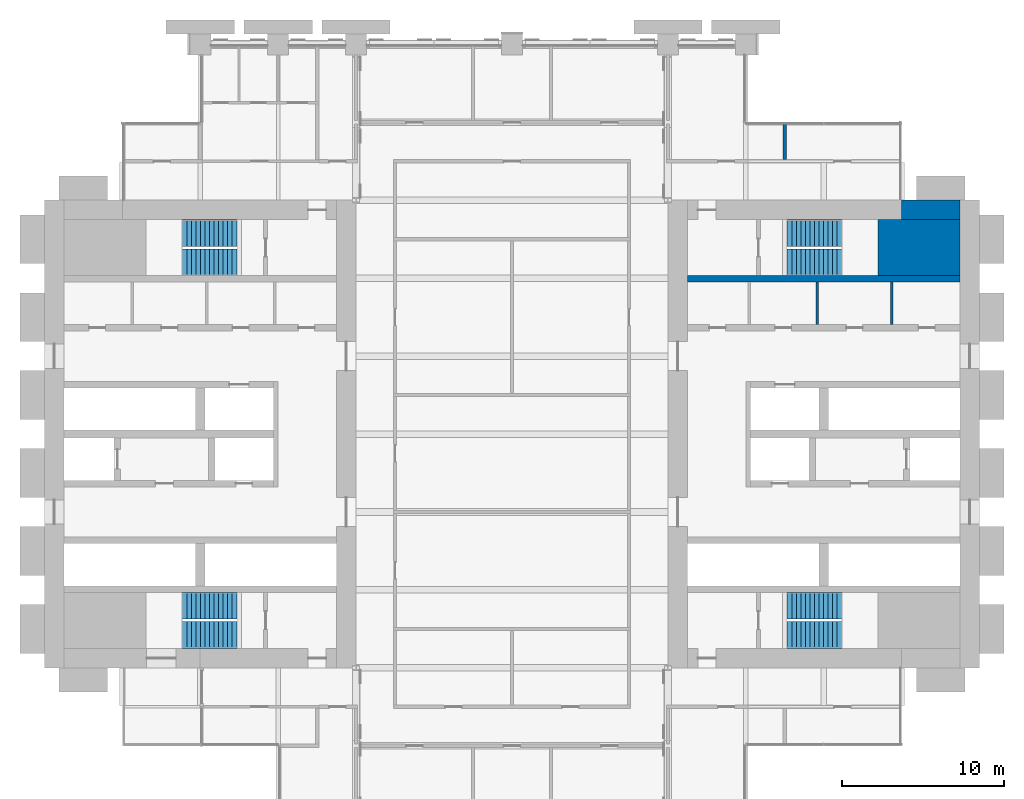
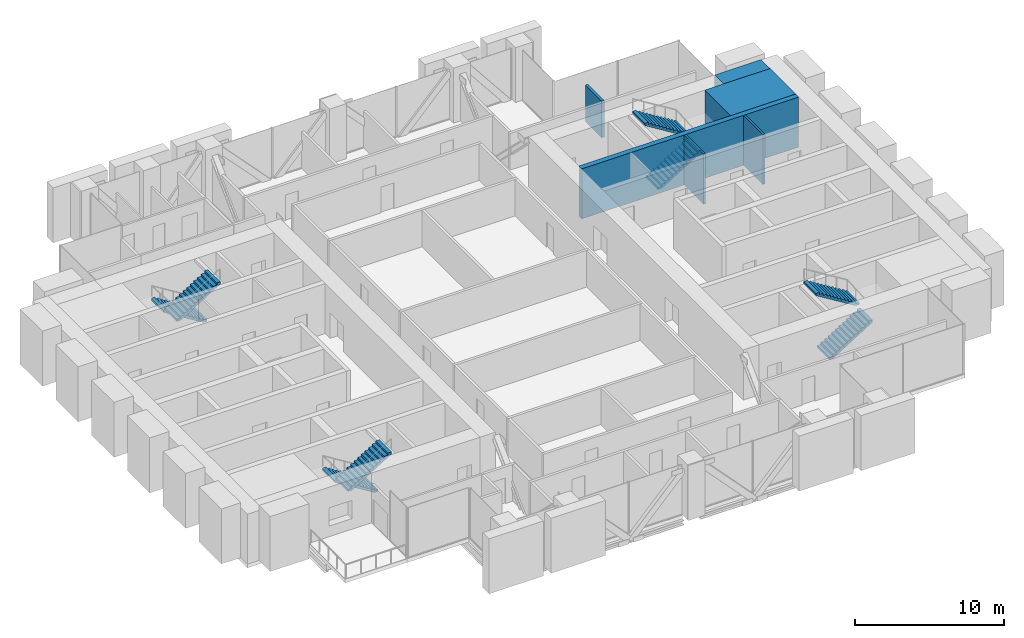
# One storey, part 14 of 15: 8 stair flights, 6 walls, 4 elements without a shape of their own.
"""IFC4 building model written with IfcOpenShell, lengths in metres."""

import ifcopenshell
import ifcopenshell.guid

model = None  # the IFC model being written
_history = None  # IfcOwnerHistory: only IFC2X3 demands one
_inside = {}  # id of a spatial element -> (the spatial element, [elements in it])
_under = {}  # id of a project, library or spatial element -> (it, [spatial elements below it])
_declared = {}  # id of a project -> (the project, [libraries it declares])
_typed = {}  # id of a type object -> (the type object, [elements of that type])
_made_of = {}  # id of a material, layer set ... -> (it, [elements and type objects made of it])


def new_model(schema):
    """Start an empty IFC model of exactly this schema.

    Asked for "IFC4X3", IfcOpenShell would pick the latest addendum, in which some entities
    have other attributes; the version numbers below select the first issue.
    IFC2X3 requires an IfcOwnerHistory on every rooted entity: one is made here for all.
    """
    global model, _history
    if schema == "IFC4X3":
        model = ifcopenshell.file(schema_version=(4, 3, 0, 0))
    else:
        model = ifcopenshell.file(schema=schema)
    _inside.clear()
    _under.clear()
    _declared.clear()
    _typed.clear()
    _made_of.clear()
    _history = None
    if model.schema == "IFC2X3":
        org = make("IfcOrganization", Name="unknown")
        user = make(
            "IfcPersonAndOrganization",
            ThePerson=make("IfcPerson", FamilyName="unknown"),
            TheOrganization=org,
        )
        app = make(
            "IfcApplication",
            ApplicationDeveloper=org,
            Version="unknown",
            ApplicationFullName="unknown",
            ApplicationIdentifier="unknown",
        )
        _history = make(
            "IfcOwnerHistory",
            OwningUser=user,
            OwningApplication=app,
            ChangeAction="ADDED",
            CreationDate=0,
        )
    return model


def make(cls, **values):
    """One entity of the class cls with the attributes given. An attribute that is None is left unset."""
    return model.create_entity(
        cls, **{name: value for name, value in values.items() if value is not None}
    )


def rooted(cls, **values):
    """An entity with a GlobalId (a new one), such as an element, a storey or a relation."""
    return make(cls, GlobalId=ifcopenshell.guid.new(), OwnerHistory=_history, **values)


def si_unit(unit_type, name, prefix=None):
    """IfcSIUnit, for example si_unit("LENGTHUNIT", "METRE", prefix="MILLI")."""
    return make("IfcSIUnit", UnitType=unit_type, Prefix=prefix, Name=name)


def assignment(units):
    """IfcUnitAssignment: the units of a project."""
    return None if units is None else make("IfcUnitAssignment", Units=units)


def point(xyz):
    """IfcCartesianPoint."""
    return None if xyz is None else make("IfcCartesianPoint", Coordinates=xyz)


def direction(xyz):
    """IfcDirection."""
    return None if xyz is None else make("IfcDirection", DirectionRatios=xyz)


def frame(location, z_axis=None, x_axis=None):
    """IfcAxis2Placement3D, a coordinate frame: its origin and axes. An axis left out is left unset."""
    return make(
        "IfcAxis2Placement3D",
        Location=point(location),
        Axis=direction(z_axis),
        RefDirection=direction(x_axis),
    )


def frame_2d(location, x_axis=None):
    """IfcAxis2Placement2D, a coordinate frame in the plane: its origin and x axis."""
    return make(
        "IfcAxis2Placement2D", Location=point(location), RefDirection=direction(x_axis)
    )


def origin():
    """The frame at (0, 0, 0) with its axes left unset."""
    return frame((0.0, 0.0, 0.0))


def place(relative_to, where):
    """IfcLocalPlacement: puts the frame where relative to a parent placement (None: the world)."""
    return make(
        "IfcLocalPlacement", PlacementRelTo=relative_to, RelativePlacement=where
    )


def context(
    kind, dimensions, precision=None, world=None, true_north=None, identifier=None
):
    """IfcGeometricRepresentationContext, for example the 3D "Model" context."""
    return make(
        "IfcGeometricRepresentationContext",
        ContextIdentifier=identifier,
        ContextType=kind,
        CoordinateSpaceDimension=dimensions,
        Precision=precision,
        WorldCoordinateSystem=world,
        TrueNorth=true_north,
    )


def subcontext(parent, identifier, kind, view, scale=None):
    """IfcGeometricRepresentationSubContext, for example "Body" below "Model"."""
    return make(
        "IfcGeometricRepresentationSubContext",
        ContextIdentifier=identifier,
        ContextType=kind,
        ParentContext=parent,
        TargetScale=scale,
        TargetView=view,
    )


def project(units=None, contexts=None):
    """IfcProject with its units and contexts."""
    return rooted(
        "IfcProject",
        Name="project",
        RepresentationContexts=contexts,
        UnitsInContext=assignment(units),
    )


def spatial(cls, under=None, at=None, **own):
    """A site, building, storey or space (cls), placed at a placement, below another one or the project."""
    s = rooted(cls, ObjectPlacement=at, **own)
    if under is not None:
        _under.setdefault(under.id(), (under, []))[1].append(s)
    return s


def polyline(points):
    """IfcPolyline through the points."""
    return make("IfcPolyline", Points=[point(p) for p in points])


def profile(cls, at=None, kind="AREA", **sizes):
    """A parametric profile (cls). Its sizes go by their IFC names, for example OverallWidth=200.0."""
    return make(cls, ProfileType=kind, Position=at, **sizes)


def rectangle(**sizes):
    """IfcRectangleProfileDef."""
    return profile("IfcRectangleProfileDef", **sizes)


def outline(outer, holes=None, kind="AREA"):
    """IfcArbitraryClosedProfileDef: a profile drawn as a closed curve; with holes, ...WithVoids."""
    if holes is None:
        return make("IfcArbitraryClosedProfileDef", ProfileType=kind, OuterCurve=outer)
    return make(
        "IfcArbitraryProfileDefWithVoids",
        ProfileType=kind,
        OuterCurve=outer,
        InnerCurves=holes,
    )


def extrude(swept, where, along, depth):
    """IfcExtrudedAreaSolid: the profile swept, set in the frame where, extruded along a direction by depth."""
    return make(
        "IfcExtrudedAreaSolid",
        SweptArea=swept,
        Position=where,
        ExtrudedDirection=direction(along),
        Depth=depth,
    )


def shape(context_of_items, identifier, shape_type, items):
    """IfcShapeRepresentation: the items that make up one representation, for example the "Body"."""
    return make(
        "IfcShapeRepresentation",
        ContextOfItems=context_of_items,
        RepresentationIdentifier=identifier,
        RepresentationType=shape_type,
        Items=items,
    )


def material(Name=None, Category=None):
    """IfcMaterial."""
    return make("IfcMaterial", Name=Name, Category=Category)


def layer(
    of_material, thickness, ventilated=None, Name=None, Category=None, Priority=None
):
    """IfcMaterialLayer: one layer of a wall or slab, of a material (None: an air gap)."""
    return make(
        "IfcMaterialLayer",
        Material=of_material,
        LayerThickness=thickness,
        IsVentilated=ventilated,
        Name=Name,
        Category=Category,
        Priority=Priority,
    )


def layer_set(layers, Name=None):
    """IfcMaterialLayerSet."""
    return make("IfcMaterialLayerSet", MaterialLayers=layers, LayerSetName=Name)


def made_of(thing, what):
    """Note that an element or type object is made of a material, layer set ...; save() writes the relation."""
    if what is not None:
        _made_of.setdefault(what.id(), (what, []))[1].append(thing)
    return thing


def type_object(cls, material=None, **own):
    """A type object (cls), such as IfcWallType, which elements share."""
    return made_of(rooted(cls, **own), material)


def element(
    cls,
    number,
    at=None,
    inside=None,
    cuts=None,
    type_object=None,
    material=None,
    context=None,
    identifier="Body",
    shape_type=None,
    held_by="IfcProductDefinitionShape",
    body=None,
    shapes=None,
    **own,
):
    """One element of the class cls, such as IfcWall. Its Tag is "e" and its number.

    at: its placement. inside: the storey or other place that contains it. cuts: it is an
    opening in that element (IfcRelVoidsElement). A single representation is given by context,
    identifier, shape_type and body (its items); several are given by shapes. held_by: the class
    of the entity that holds the representations. save() writes the other relations.
    """
    e = rooted(cls, Tag="e%d" % number, ObjectPlacement=at, **own)
    if body is not None:
        shapes = [shape(context, identifier, shape_type, body)]
    if shapes is not None:
        e.Representation = make(held_by, Representations=shapes)
    if inside is not None:
        _inside.setdefault(inside.id(), (inside, []))[1].append(e)
    if cuts is not None:
        rooted(
            "IfcRelVoidsElement", RelatingBuildingElement=cuts, RelatedOpeningElement=e
        )
    if type_object is not None:
        _typed.setdefault(type_object.id(), (type_object, []))[1].append(e)
    return made_of(e, material)


def aggregate(whole, parts):
    """IfcRelAggregates: a whole, such as a stair, and the parts it consists of."""
    return rooted("IfcRelAggregates", RelatingObject=whole, RelatedObjects=parts)


def save(model, path):
    """Write the relations noted so far, then the file.

    IfcRelAggregates (storeys below a building ...), IfcRelContainedInSpatialStructure (elements
    in a storey), IfcRelDefinesByType, IfcRelAssociatesMaterial and IfcRelDeclares: one each for
    every whole, place, type object, material and project.
    """
    for whole, parts in _under.values():
        aggregate(whole, parts)
    for where, things in _inside.values():
        rooted(
            "IfcRelContainedInSpatialStructure",
            RelatedElements=things,
            RelatingStructure=where,
        )
    for kind, things in _typed.values():
        rooted("IfcRelDefinesByType", RelatedObjects=things, RelatingType=kind)
    for what, things in _made_of.values():
        rooted("IfcRelAssociatesMaterial", RelatedObjects=things, RelatingMaterial=what)
    for by, libraries in _declared.values():
        rooted("IfcRelDeclares", RelatingContext=by, RelatedDefinitions=libraries)
    model.write(path)


model = new_model("IFC4")

# Units and contexts
model_context = context("Model", 3, precision=1e-05, world=origin(), true_north=direction((0.0, 1.0)))
body_context = subcontext(model_context, "Body", "Model", "MODEL_VIEW")
ifc_project = project(units=[si_unit("LENGTHUNIT", "METRE"), si_unit("AREAUNIT", "SQUARE_METRE"), si_unit("VOLUMEUNIT", "CUBIC_METRE"), si_unit("PLANEANGLEUNIT", "RADIAN"), si_unit("MASSUNIT", "GRAM", prefix="KILO")], contexts=[model_context])

# Site, building, storey
site_placement = place(None, origin())
site = spatial("IfcSite", under=ifc_project, at=site_placement, CompositionType="ELEMENT")
building_placement = place(site_placement, origin())
building = spatial("IfcBuilding", under=site, at=building_placement, Name="Baori Bourse Tower", CompositionType="ELEMENT")
storey_placement = place(building_placement, frame((0.0, 0.0, 87.0)))
storey = spatial("IfcBuildingStorey", under=building, at=storey_placement, Name="L19", CompositionType="ELEMENT", Elevation=87.0)

# Walls
ifc_material_1 = material(Name="Concrete f'c 70 MPa", Category="concrete")
wall_type_1 = type_object("IfcWallType", Name="Core corner block f'c 70", PredefinedType="SHEAR", material=ifc_material_1)
wall_1_placement = place(storey_placement, frame((51.35009765625, 35.47509765625, 0.0), z_axis=(0.0, 0.0, 1.0), x_axis=(1.0, 0.0, 0.0)))
element("IfcWall", 1, at=wall_1_placement, inside=storey, type_object=wall_type_1, Name="Core wall E22", PredefinedType="SHEAR", context=body_context, shape_type="SweptSolid", body=[
    extrude(rectangle(XDim=5.0498046875, YDim=3.449951171875, at=frame_2d((2.52490234375, 0.0))), origin(), (0.0, 0.0, 1.0), 4.10009765625),
])
ifc_material_2 = material(Name="Blockwork partition", Category="masonry")
ifc_layer_1 = layer(ifc_material_2, 0.14990234375)
ifc_layer_set_1 = layer_set([ifc_layer_1], Name="Core partition 150")
wall_type_2 = type_object("IfcWallType", Name="Core partition 150", PredefinedType="PARTITIONING", material=ifc_layer_set_1)
for number, where, z_axis, x_axis, name in (
    (2, (52.199951171875, 30.75, 0.0), (0.0, 0.0, 1.0), (0.0, 1.0, 0.0), "Partition wall E18"),
    (3, (47.60009765625, 30.75, 0.0), (0.0, 0.0, 1.0), (0.0, 1.0, 0.0), "Partition wall E19"),
):
    element("IfcWall", number, at=place(storey_placement, frame(where, z_axis=z_axis, x_axis=x_axis)), inside=storey, type_object=wall_type_2, Name=name, PredefinedType="PARTITIONING", context=body_context, shape_type="SweptSolid", body=[
        extrude(rectangle(XDim=2.60009765625, YDim=0.14990234375, at=frame_2d((1.300048828125, 0.0))), origin(), (0.0, 0.0, 1.0), 4.10009765625),
    ])
ifc_material_3 = material(Name="Concrete f'c 70 MPa", Category="concrete")
ifc_layer_2 = layer(ifc_material_3, 1.199951171875)
ifc_layer_set_2 = layer_set([ifc_layer_2], Name="Core wall 1200 f'c 70")
wall_type_3 = type_object("IfcWallType", Name="Core wall 1200 f'c 70", PredefinedType="SHEAR", material=ifc_layer_set_2)
wall_2_placement = place(storey_placement, frame((52.800048828125, 37.800048828125, 0.0), z_axis=(0.0, 0.0, 1.0), x_axis=(1.0, 0.0, 0.0)))
element("IfcWall", 4, at=wall_2_placement, inside=storey, type_object=wall_type_3, Name="Core wall E24", PredefinedType="SHEAR", context=body_context, shape_type="SweptSolid", body=[
    extrude(rectangle(XDim=3.599853515625, YDim=1.199951171875, at=frame_2d((1.7998046875, 0.0))), origin(), (0.0, 0.0, 1.0), 4.10009765625),
])
ifc_material_4 = material(Name="Gypsum board partition")
ifc_layer_3 = layer(ifc_material_4, 0.199951171875)
ifc_layer_set_3 = layer_set([ifc_layer_3], Name="Plant room wall 200")
wall_type_4 = type_object("IfcWallType", Name="Plant room wall 200", PredefinedType="PARTITIONING", material=ifc_layer_set_3)
wall_3_placement = place(storey_placement, frame((45.60009765625, 40.89990234375, 0.0), z_axis=(0.0, 0.0, 1.0), x_axis=(0.0, 1.0, 0.0)))
element("IfcWall", 5, at=wall_3_placement, inside=storey, type_object=wall_type_4, Name="Partition", PredefinedType="PARTITIONING", context=body_context, shape_type="SweptSolid", body=[
    extrude(rectangle(XDim=2.2001953125, YDim=0.199951171875, at=frame_2d((1.10009765625, 0.0))), origin(), (0.0, 0.0, 1.0), 2.99267578125),
])
ifc_material_5 = material(Name="Concrete f'c 70 MPa", Category="concrete")
ifc_layer_4 = layer(ifc_material_5, 0.39990234375)
ifc_layer_set_4 = layer_set([ifc_layer_4], Name="Shaft wall 400 f'c 70")
wall_type_5 = type_object("IfcWallType", Name="Shaft wall 400 f'c 70", PredefinedType="SHEAR", material=ifc_layer_set_4)
wall_4_placement = place(storey_placement, frame((39.60009765625, 33.550048828125, 0.0), z_axis=(0.0, 0.0, 1.0), x_axis=(1.0, 0.0, 0.0)))
element("IfcWall", 6, at=wall_4_placement, inside=storey, type_object=wall_type_5, Name="Core wall E21", PredefinedType="SHEAR", context=body_context, shape_type="SweptSolid", body=[
    extrude(rectangle(XDim=16.7998046875, YDim=0.39990234375, at=frame_2d((8.39990234375, 0.0))), origin(), (0.0, 0.0, 1.0), 4.10009765625),
])

# Stair, stair flights
ifc_material_6 = material(Name="Concrete f'c 50 MPa", Category="concrete")
stair_type = type_object("IfcStairType", Name="Core stair", PredefinedType="HALF_TURN_STAIR", material=ifc_material_6)
stair_1_placement = place(storey_placement, origin())
stair_1 = element("IfcStair", 7, at=stair_1_placement, inside=storey, type_object=stair_type, Name="L19 Stair WA", PredefinedType="HALF_TURN_STAIR")
ifc_material_7 = material(Name="Concrete f'c 50 MPa", Category="concrete")
stair_flight_type = type_object("IfcStairFlightType", Name="Core stair flight", PredefinedType="STRAIGHT", material=ifc_material_7)
stair_flight_1_placement = place(storey_placement, frame((11.85009765625, 13.425048828125, 0.0), z_axis=(0.0, 0.0, 1.0), x_axis=(-1.0, 0.0, 0.0)))
stair_flight_1 = element("IfcStairFlight", 8, at=stair_flight_1_placement, type_object=stair_flight_type, Name="ST1 flight 1", NumberOfRisers=13, NumberOfTreads=12, PredefinedType="STRAIGHT", RiserHeight=0.173076923, TreadLength=0.28, context=body_context, shape_type="SweptSolid", body=[
    extrude(outline(polyline([(0.0, 0.0), (0.0, 0.173095703125), (0.280029296875, 0.173095703125), (0.280029296875, 0.34619140625), (0.56005859375, 0.34619140625), (0.56005859375, 0.519287109375), (0.840087890625, 0.519287109375), (0.840087890625, 0.6923828125), (1.1201171875, 0.6923828125), (1.1201171875, 0.865478515625), (1.39990234375, 0.865478515625), (1.39990234375, 1.03857421875), (1.679931640625, 1.03857421875), (1.679931640625, 1.21142578125), (1.9599609375, 1.21142578125), (1.9599609375, 1.384521484375), (2.239990234375, 1.384521484375), (2.239990234375, 1.5576171875), (2.52001953125, 1.5576171875), (2.52001953125, 1.730712890625), (2.800048828125, 1.730712890625), (2.800048828125, 1.90380859375), (3.080078125, 1.90380859375), (3.080078125, 2.076904296875), (3.360107421875, 2.076904296875), (3.360107421875, 2.25), (3.360107421875, 1.900634765625), (0.28515625, 0.0), (0.0, 0.0)])), frame((0.0, 0.824951171875, 0.0), z_axis=(0.0, -1.0, 0.0), x_axis=(1.0, 0.0, 0.0)), (0.0, 0.0, 1.0), 1.64990234375),
])
stair_flight_2_placement = place(storey_placement, frame((8.489990234375, 11.625, 2.25), z_axis=(0.0, 0.0, 1.0), x_axis=(1.0, 0.0, 0.0)))
stair_flight_2 = element("IfcStairFlight", 9, at=stair_flight_2_placement, type_object=stair_flight_type, Name="ST1 flight 2", NumberOfRisers=13, NumberOfTreads=12, PredefinedType="STRAIGHT", RiserHeight=0.173076923, TreadLength=0.28, context=body_context, shape_type="SweptSolid", body=[
    extrude(outline(polyline([(0.0, 0.0), (0.0, 0.173095703125), (0.280029296875, 0.173095703125), (0.280029296875, 0.34619140625), (0.56005859375, 0.34619140625), (0.56005859375, 0.519287109375), (0.840087890625, 0.519287109375), (0.840087890625, 0.6923828125), (1.1201171875, 0.6923828125), (1.1201171875, 0.865478515625), (1.39990234375, 0.865478515625), (1.39990234375, 1.03857421875), (1.679931640625, 1.03857421875), (1.679931640625, 1.21142578125), (1.9599609375, 1.21142578125), (1.9599609375, 1.384521484375), (2.239990234375, 1.384521484375), (2.239990234375, 1.5576171875), (2.52001953125, 1.5576171875), (2.52001953125, 1.730712890625), (2.800048828125, 1.730712890625), (2.800048828125, 1.90380859375), (3.080078125, 1.90380859375), (3.080078125, 2.076904296875), (3.360107421875, 2.076904296875), (3.360107421875, 2.25), (3.360107421875, 1.900634765625), (0.28515625, 0.0), (0.0, 0.0)])), frame((0.0, 0.824951171875, 0.0), z_axis=(0.0, -1.0, 0.0), x_axis=(1.0, 0.0, 0.0)), (0.0, 0.0, 1.0), 1.64990234375),
])
aggregate(stair_1, [stair_flight_1, stair_flight_2])

stair_2_placement = place(storey_placement, origin())
stair_2 = element("IfcStair", 10, at=stair_2_placement, inside=storey, type_object=stair_type, Name="L19 Stair WB", PredefinedType="HALF_TURN_STAIR")
stair_flight_3_placement = place(storey_placement, frame((11.85009765625, 36.375, 0.0), z_axis=(0.0, 0.0, 1.0), x_axis=(-1.0, 0.0, 0.0)))
stair_flight_3 = element("IfcStairFlight", 11, at=stair_flight_3_placement, type_object=stair_flight_type, Name="ST2 flight 1", NumberOfRisers=13, NumberOfTreads=12, PredefinedType="STRAIGHT", RiserHeight=0.173076923, TreadLength=0.28, context=body_context, shape_type="SweptSolid", body=[
    extrude(outline(polyline([(0.0, 0.0), (0.0, 0.173095703125), (0.280029296875, 0.173095703125), (0.280029296875, 0.34619140625), (0.56005859375, 0.34619140625), (0.56005859375, 0.519287109375), (0.840087890625, 0.519287109375), (0.840087890625, 0.6923828125), (1.1201171875, 0.6923828125), (1.1201171875, 0.865478515625), (1.39990234375, 0.865478515625), (1.39990234375, 1.03857421875), (1.679931640625, 1.03857421875), (1.679931640625, 1.21142578125), (1.9599609375, 1.21142578125), (1.9599609375, 1.384521484375), (2.239990234375, 1.384521484375), (2.239990234375, 1.5576171875), (2.52001953125, 1.5576171875), (2.52001953125, 1.730712890625), (2.800048828125, 1.730712890625), (2.800048828125, 1.90380859375), (3.080078125, 1.90380859375), (3.080078125, 2.076904296875), (3.360107421875, 2.076904296875), (3.360107421875, 2.25), (3.360107421875, 1.900634765625), (0.28515625, 0.0), (0.0, 0.0)])), frame((0.0, 0.824951171875, 0.0), z_axis=(0.0, -1.0, 0.0), x_axis=(1.0, 0.0, 0.0)), (0.0, 0.0, 1.0), 1.64990234375),
])
stair_flight_4_placement = place(storey_placement, frame((8.489990234375, 34.574951171875, 2.25), z_axis=(0.0, 0.0, 1.0), x_axis=(1.0, 0.0, 0.0)))
stair_flight_4 = element("IfcStairFlight", 12, at=stair_flight_4_placement, type_object=stair_flight_type, Name="ST2 flight 2", NumberOfRisers=13, NumberOfTreads=12, PredefinedType="STRAIGHT", RiserHeight=0.173076923, TreadLength=0.28, context=body_context, shape_type="SweptSolid", body=[
    extrude(outline(polyline([(0.0, 0.0), (0.0, 0.173095703125), (0.280029296875, 0.173095703125), (0.280029296875, 0.34619140625), (0.56005859375, 0.34619140625), (0.56005859375, 0.519287109375), (0.840087890625, 0.519287109375), (0.840087890625, 0.6923828125), (1.1201171875, 0.6923828125), (1.1201171875, 0.865478515625), (1.39990234375, 0.865478515625), (1.39990234375, 1.03857421875), (1.679931640625, 1.03857421875), (1.679931640625, 1.21142578125), (1.9599609375, 1.21142578125), (1.9599609375, 1.384521484375), (2.239990234375, 1.384521484375), (2.239990234375, 1.5576171875), (2.52001953125, 1.5576171875), (2.52001953125, 1.730712890625), (2.800048828125, 1.730712890625), (2.800048828125, 1.90380859375), (3.080078125, 1.90380859375), (3.080078125, 2.076904296875), (3.360107421875, 2.076904296875), (3.360107421875, 2.25), (3.360107421875, 1.900634765625), (0.28515625, 0.0), (0.0, 0.0)])), frame((0.0, 0.824951171875, 0.0), z_axis=(0.0, -1.0, 0.0), x_axis=(1.0, 0.0, 0.0)), (0.0, 0.0, 1.0), 1.64990234375),
])
aggregate(stair_2, [stair_flight_3, stair_flight_4])

stair_3_placement = place(storey_placement, origin())
stair_3 = element("IfcStair", 13, at=stair_3_placement, inside=storey, type_object=stair_type, Name="L19 Stair EA", PredefinedType="HALF_TURN_STAIR")
stair_flight_5_placement = place(storey_placement, frame((45.75, 11.625, 0.0), z_axis=(0.0, 0.0, 1.0), x_axis=(1.0, 0.0, 0.0)))
stair_flight_5 = element("IfcStairFlight", 14, at=stair_flight_5_placement, type_object=stair_flight_type, Name="ST3 flight 1", NumberOfRisers=13, NumberOfTreads=12, PredefinedType="STRAIGHT", RiserHeight=0.173076923, TreadLength=0.28, context=body_context, shape_type="SweptSolid", body=[
    extrude(outline(polyline([(0.0, 0.0), (0.0, 0.173095703125), (0.280029296875, 0.173095703125), (0.280029296875, 0.34619140625), (0.56005859375, 0.34619140625), (0.56005859375, 0.519287109375), (0.840087890625, 0.519287109375), (0.840087890625, 0.6923828125), (1.1201171875, 0.6923828125), (1.1201171875, 0.865478515625), (1.39990234375, 0.865478515625), (1.39990234375, 1.03857421875), (1.679931640625, 1.03857421875), (1.679931640625, 1.21142578125), (1.9599609375, 1.21142578125), (1.9599609375, 1.384521484375), (2.239990234375, 1.384521484375), (2.239990234375, 1.5576171875), (2.52001953125, 1.5576171875), (2.52001953125, 1.730712890625), (2.800048828125, 1.730712890625), (2.800048828125, 1.90380859375), (3.080078125, 1.90380859375), (3.080078125, 2.076904296875), (3.360107421875, 2.076904296875), (3.360107421875, 2.25), (3.360107421875, 1.900634765625), (0.28515625, 0.0), (0.0, 0.0)])), frame((0.0, 0.824951171875, 0.0), z_axis=(0.0, -1.0, 0.0), x_axis=(1.0, 0.0, 0.0)), (0.0, 0.0, 1.0), 1.64990234375),
])
stair_flight_6_placement = place(storey_placement, frame((49.110107421875, 13.425048828125, 2.25), z_axis=(0.0, 0.0, 1.0), x_axis=(-1.0, 0.0, 0.0)))
stair_flight_6 = element("IfcStairFlight", 15, at=stair_flight_6_placement, type_object=stair_flight_type, Name="ST3 flight 2", NumberOfRisers=13, NumberOfTreads=12, PredefinedType="STRAIGHT", RiserHeight=0.173076923, TreadLength=0.28, context=body_context, shape_type="SweptSolid", body=[
    extrude(outline(polyline([(0.0, 0.0), (0.0, 0.173095703125), (0.280029296875, 0.173095703125), (0.280029296875, 0.34619140625), (0.56005859375, 0.34619140625), (0.56005859375, 0.519287109375), (0.840087890625, 0.519287109375), (0.840087890625, 0.6923828125), (1.1201171875, 0.6923828125), (1.1201171875, 0.865478515625), (1.39990234375, 0.865478515625), (1.39990234375, 1.03857421875), (1.679931640625, 1.03857421875), (1.679931640625, 1.21142578125), (1.9599609375, 1.21142578125), (1.9599609375, 1.384521484375), (2.239990234375, 1.384521484375), (2.239990234375, 1.5576171875), (2.52001953125, 1.5576171875), (2.52001953125, 1.730712890625), (2.800048828125, 1.730712890625), (2.800048828125, 1.90380859375), (3.080078125, 1.90380859375), (3.080078125, 2.076904296875), (3.360107421875, 2.076904296875), (3.360107421875, 2.25), (3.360107421875, 1.900634765625), (0.28515625, 0.0), (0.0, 0.0)])), frame((0.0, 0.824951171875, 0.0), z_axis=(0.0, -1.0, 0.0), x_axis=(1.0, 0.0, 0.0)), (0.0, 0.0, 1.0), 1.64990234375),
])
aggregate(stair_3, [stair_flight_5, stair_flight_6])

stair_4_placement = place(storey_placement, origin())
stair_4 = element("IfcStair", 16, at=stair_4_placement, inside=storey, type_object=stair_type, Name="L19 Stair EB", PredefinedType="HALF_TURN_STAIR")
stair_flight_7_placement = place(storey_placement, frame((45.75, 34.574951171875, 0.0), z_axis=(0.0, 0.0, 1.0), x_axis=(1.0, 0.0, 0.0)))
stair_flight_7 = element("IfcStairFlight", 17, at=stair_flight_7_placement, type_object=stair_flight_type, Name="ST4 flight 1", NumberOfRisers=13, NumberOfTreads=12, PredefinedType="STRAIGHT", RiserHeight=0.173076923, TreadLength=0.28, context=body_context, shape_type="SweptSolid", body=[
    extrude(outline(polyline([(0.0, 0.0), (0.0, 0.173095703125), (0.280029296875, 0.173095703125), (0.280029296875, 0.34619140625), (0.56005859375, 0.34619140625), (0.56005859375, 0.519287109375), (0.840087890625, 0.519287109375), (0.840087890625, 0.6923828125), (1.1201171875, 0.6923828125), (1.1201171875, 0.865478515625), (1.39990234375, 0.865478515625), (1.39990234375, 1.03857421875), (1.679931640625, 1.03857421875), (1.679931640625, 1.21142578125), (1.9599609375, 1.21142578125), (1.9599609375, 1.384521484375), (2.239990234375, 1.384521484375), (2.239990234375, 1.5576171875), (2.52001953125, 1.5576171875), (2.52001953125, 1.730712890625), (2.800048828125, 1.730712890625), (2.800048828125, 1.90380859375), (3.080078125, 1.90380859375), (3.080078125, 2.076904296875), (3.360107421875, 2.076904296875), (3.360107421875, 2.25), (3.360107421875, 1.900634765625), (0.28515625, 0.0), (0.0, 0.0)])), frame((0.0, 0.824951171875, 0.0), z_axis=(0.0, -1.0, 0.0), x_axis=(1.0, 0.0, 0.0)), (0.0, 0.0, 1.0), 1.64990234375),
])
stair_flight_8_placement = place(storey_placement, frame((49.110107421875, 36.375, 2.25), z_axis=(0.0, 0.0, 1.0), x_axis=(-1.0, 0.0, 0.0)))
stair_flight_8 = element("IfcStairFlight", 18, at=stair_flight_8_placement, type_object=stair_flight_type, Name="ST4 flight 2", NumberOfRisers=13, NumberOfTreads=12, PredefinedType="STRAIGHT", RiserHeight=0.173076923, TreadLength=0.28, context=body_context, shape_type="SweptSolid", body=[
    extrude(outline(polyline([(0.0, 0.0), (0.0, 0.173095703125), (0.280029296875, 0.173095703125), (0.280029296875, 0.34619140625), (0.56005859375, 0.34619140625), (0.56005859375, 0.519287109375), (0.840087890625, 0.519287109375), (0.840087890625, 0.6923828125), (1.1201171875, 0.6923828125), (1.1201171875, 0.865478515625), (1.39990234375, 0.865478515625), (1.39990234375, 1.03857421875), (1.679931640625, 1.03857421875), (1.679931640625, 1.21142578125), (1.9599609375, 1.21142578125), (1.9599609375, 1.384521484375), (2.239990234375, 1.384521484375), (2.239990234375, 1.5576171875), (2.52001953125, 1.5576171875), (2.52001953125, 1.730712890625), (2.800048828125, 1.730712890625), (2.800048828125, 1.90380859375), (3.080078125, 1.90380859375), (3.080078125, 2.076904296875), (3.360107421875, 2.076904296875), (3.360107421875, 2.25), (3.360107421875, 1.900634765625), (0.28515625, 0.0), (0.0, 0.0)])), frame((0.0, 0.824951171875, 0.0), z_axis=(0.0, -1.0, 0.0), x_axis=(1.0, 0.0, 0.0)), (0.0, 0.0, 1.0), 1.64990234375),
])
aggregate(stair_4, [stair_flight_7, stair_flight_8])

save(model, "model.ifc")
